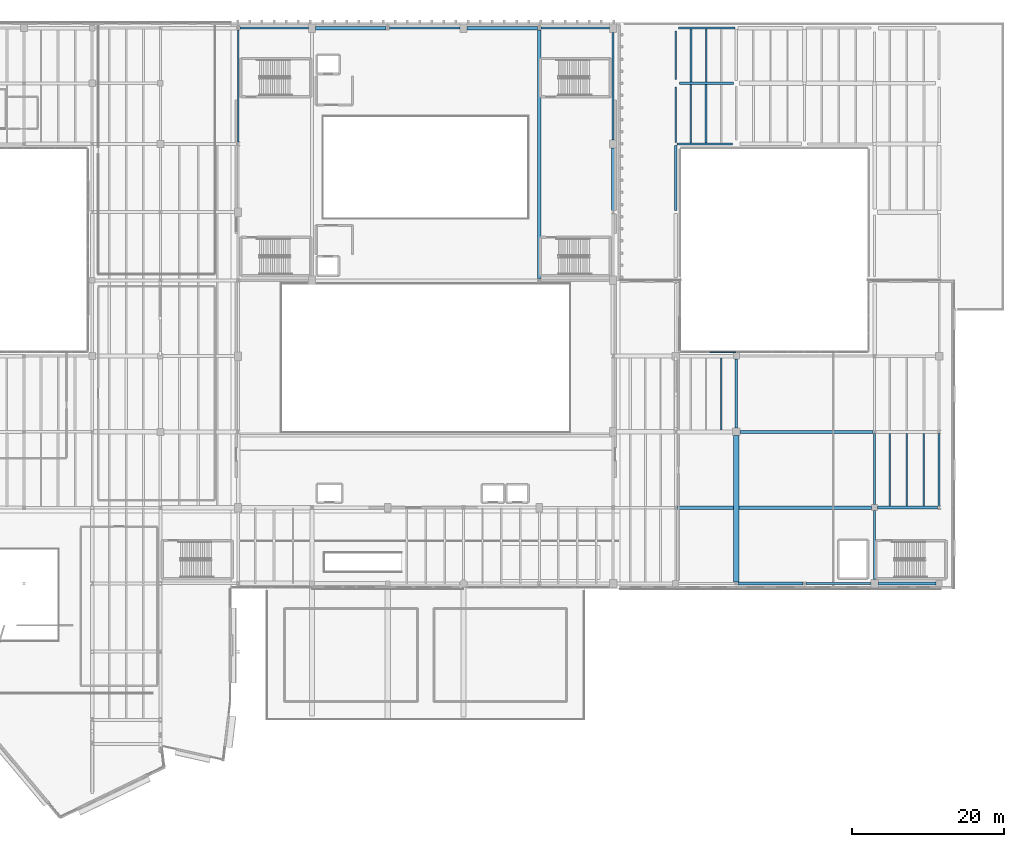
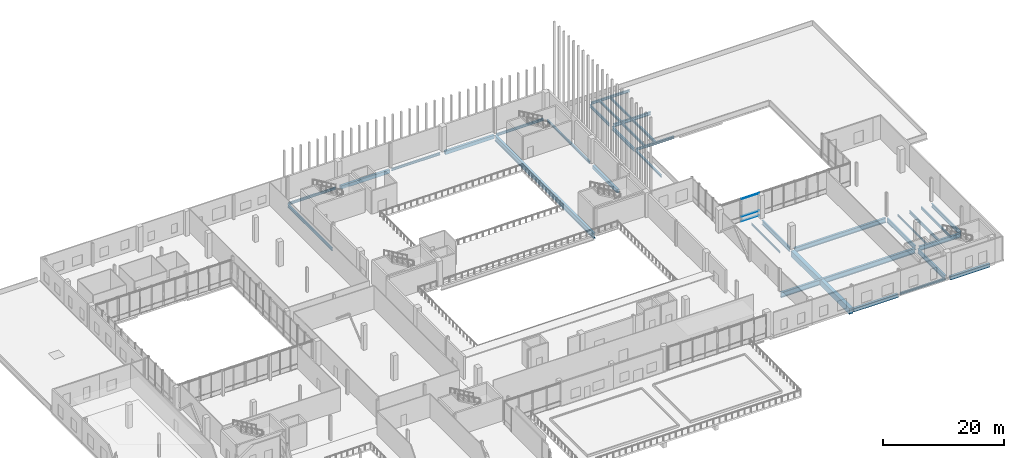
# One storey, part 31 of 60: 34 beams, 3 members, 1 element without a shape of its own.
"""IFC4 building model written with IfcOpenShell, lengths in metres."""

from ifc_helpers import new_model, si_unit, direction, frame, origin, origin_2d, place, context, subcontext, project, spatial, rectangle, i_section, extrude, material, material_profile, profile_set, type_object, element, aggregate, save


model = new_model("IFC4")

# Units and contexts
model_context = context("Model", 3, precision=1e-05, world=origin(), true_north=direction((0.0, 1.0)))
body_context = subcontext(model_context, "Body", "Model", "MODEL_VIEW")
ifc_project = project(units=[si_unit("LENGTHUNIT", "METRE"), si_unit("AREAUNIT", "SQUARE_METRE"), si_unit("VOLUMEUNIT", "CUBIC_METRE"), si_unit("PLANEANGLEUNIT", "RADIAN"), si_unit("MASSUNIT", "GRAM", prefix="KILO")], contexts=[model_context])

# Site, building, storey
site_placement = place(None, origin())
site = spatial("IfcSite", under=ifc_project, at=site_placement, CompositionType="ELEMENT")
building_placement = place(site_placement, origin())
building = spatial("IfcBuilding", under=site, at=building_placement, Name="Trimount Lyric Opera House", CompositionType="ELEMENT")
storey_placement = place(building_placement, frame((0.0, 0.0, 15.0)))
storey = spatial("IfcBuildingStorey", under=building, at=storey_placement, Name="L03", CompositionType="ELEMENT", Elevation=15.0)

# Beams
ifc_material_1 = material(Name="Steel ASTM A992 Grade 50", Category="steel")
ifc_material_profile_1 = material_profile(ifc_material_1, i_section(OverallWidth=0.4189453125, OverallDepth=0.927001953125, WebThickness=0.019287109375, FlangeThickness=0.031982421875, FilletRadius=0.02392578125, at=origin_2d()), Name="W36X231")
ifc_profile_set_1 = profile_set([ifc_material_profile_1], Name="Steel ASTM A992 Grade 50")
beam_type_1 = type_object("IfcBeamType", Name="B-02", PredefinedType="BEAM", material=ifc_profile_set_1)
beam_1_placement = place(storey_placement, frame((130.5, 64.0, -0.7333984375), z_axis=(1.0, 0.0, 0.0), x_axis=(0.0, 1.0, 0.0)))
element("IfcBeam", 1, at=beam_1_placement, inside=storey, type_object=beam_type_1, Name="L03 girder X-0976", PredefinedType="BEAM", context=body_context, shape_type="SweptSolid", body=[
    extrude(i_section(OverallWidth=0.4189453125, OverallDepth=0.927001953125, WebThickness=0.019287109375, FlangeThickness=0.031982421875, FilletRadius=0.02392578125, at=origin_2d()), origin(), (0.0, 0.0, 1.0), 17.553466796875),
])
ifc_material_2 = material(Name="Steel ASTM A992 Grade 50", Category="steel")
ifc_material_profile_2 = material_profile(ifc_material_2, i_section(OverallWidth=0.304931640625, OverallDepth=0.9189453125, WebThickness=0.017333984375, FlangeThickness=0.02783203125, FilletRadius=0.02001953125, at=origin_2d()), Name="W36X170")
ifc_profile_set_2 = profile_set([ifc_material_profile_2], Name="Steel ASTM A992 Grade 50")
beam_type_2 = type_object("IfcBeamType", Name="B-03", PredefinedType="BEAM", material=ifc_profile_set_2)
for number, where, z_axis, x_axis, name in (
    (2, (130.0, 64.5, -0.7294921875), (0.0, 1.0, 0.0), (-1.0, 0.0, 0.0), "L03 girder Y-1105"),
    (3, (148.239990234375, 44.5, -0.7294921875), (0.0, 1.0, 0.0), (-1.0, 0.0, 0.0), "L03 girder Y-1110"),
):
    element("IfcBeam", number, at=place(storey_placement, frame(where, z_axis=z_axis, x_axis=x_axis)), inside=storey, type_object=beam_type_2, Name=name, PredefinedType="BEAM", context=body_context, shape_type="SweptSolid", body=[
        extrude(i_section(OverallWidth=0.304931640625, OverallDepth=0.9189453125, WebThickness=0.017333984375, FlangeThickness=0.02783203125, FilletRadius=0.02001953125, at=origin_2d()), origin(), (0.0, 0.0, 1.0), 9.10009765625),
    ])
ifc_material_3 = material(Name="Steel ASTM A992 Grade 50", Category="steel")
ifc_material_profile_3 = material_profile(ifc_material_3, i_section(OverallWidth=0.40087890625, OverallDepth=0.861083984375, WebThickness=0.019775390625, FlangeThickness=0.032470703125, FilletRadius=0.02001953125, at=origin_2d()), Name="W33X221")
ifc_profile_set_3 = profile_set([ifc_material_profile_3], Name="Steel ASTM A992 Grade 50")
beam_type_3 = type_object("IfcBeamType", Name="B-04", PredefinedType="BEAM", material=ifc_profile_set_3)
beam_2_placement = place(storey_placement, frame((148.639892578125, 54.0, -0.700439453125), z_axis=(1.0, 0.0, 0.0), x_axis=(0.0, 1.0, 0.0)))
element("IfcBeam", 4, at=beam_2_placement, inside=storey, type_object=beam_type_3, Name="L03 girder X-0966", PredefinedType="BEAM", context=body_context, shape_type="SweptSolid", body=[
    extrude(i_section(OverallWidth=0.40087890625, OverallDepth=0.861083984375, WebThickness=0.019775390625, FlangeThickness=0.032470703125, FilletRadius=0.02001953125, at=origin_2d()), origin(), (0.0, 0.0, 1.0), 7.93359375),
])
ifc_material_4 = material(Name="Steel ASTM A992 Grade 50", Category="steel")
ifc_material_profile_4 = material_profile(ifc_material_4, i_section(OverallWidth=0.2919921875, OverallDepth=0.845947265625, WebThickness=0.015380859375, FlangeThickness=0.0244140625, FilletRadius=0.01806640625, at=origin_2d()), Name="W33X141")
ifc_profile_set_4 = profile_set([ifc_material_profile_4], Name="Steel ASTM A992 Grade 50")
beam_type_4 = type_object("IfcBeamType", Name="B-05", PredefinedType="BEAM", material=ifc_profile_set_4)
beam_3_placement = place(storey_placement, frame((148.239990234375, 54.39990234375, -0.693115234375), z_axis=(0.0, 1.0, 0.0), x_axis=(-1.0, 0.0, 0.0)))
element("IfcBeam", 5, at=beam_3_placement, inside=storey, type_object=beam_type_4, Name="L03 girder Y-1111", PredefinedType="BEAM", context=body_context, shape_type="SweptSolid", body=[
    extrude(i_section(OverallWidth=0.2919921875, OverallDepth=0.845947265625, WebThickness=0.015380859375, FlangeThickness=0.0244140625, FilletRadius=0.01806640625, at=origin_2d()), origin(), (0.0, 0.0, 1.0), 9.416015625),
])
ifc_material_5 = material(Name="Steel ASTM A992 Grade 50", Category="steel")
ifc_material_profile_5 = material_profile(ifc_material_5, i_section(OverallWidth=0.26708984375, OverallDepth=0.761962890625, WebThickness=0.014404296875, FlangeThickness=0.021484375, FilletRadius=0.01708984375, at=origin_2d()), Name="W30X116")
ifc_profile_set_5 = profile_set([ifc_material_profile_5], Name="Steel ASTM A992 Grade 50")
beam_type_5 = type_object("IfcBeamType", Name="B-07", PredefinedType="BEAM", material=ifc_profile_set_5)
beam_4_placement = place(storey_placement, frame((156.760009765625, 54.18408203125, -0.65087890625), z_axis=(0.0, 1.0, 0.0), x_axis=(-1.0, 0.0, 0.0)))
element("IfcBeam", 6, at=beam_4_placement, inside=storey, type_object=beam_type_5, Name="L03 girder Y-1118", PredefinedType="BEAM", context=body_context, shape_type="SweptSolid", body=[
    extrude(i_section(OverallWidth=0.26708984375, OverallDepth=0.761962890625, WebThickness=0.014404296875, FlangeThickness=0.021484375, FilletRadius=0.01708984375, at=origin_2d()), origin(), (0.0, 0.0, 1.0), 9.622802734375),
])
ifc_material_6 = material(Name="Steel ASTM A992 Grade 50", Category="steel")
ifc_material_profile_6 = material_profile(ifc_material_6, i_section(OverallWidth=0.25390625, OverallDepth=0.68798828125, WebThickness=0.01318359375, FlangeThickness=0.02099609375, FilletRadius=0.01611328125, at=origin_2d()), Name="W27X102")
ifc_profile_set_6 = profile_set([ifc_material_profile_6], Name="Steel ASTM A992 Grade 50")
beam_type_6 = type_object("IfcBeamType", Name="B-09", PredefinedType="BEAM", material=ifc_profile_set_6)
beam_5_placement = place(storey_placement, frame((122.0, 102.193115234375, -0.634033203125), z_axis=(0.0, 1.0, 0.0), x_axis=(-1.0, 0.0, 0.0)))
element("IfcBeam", 7, at=beam_5_placement, inside=storey, type_object=beam_type_6, Name="L03 girder Y-1102", PredefinedType="BEAM", context=body_context, shape_type="SweptSolid", body=[
    extrude(i_section(OverallWidth=0.25390625, OverallDepth=0.68798828125, WebThickness=0.01318359375, FlangeThickness=0.02099609375, FilletRadius=0.01611328125, at=origin_2d()), origin(), (0.0, 0.0, 1.0), 7.306884765625),
])
ifc_material_7 = material(Name="Steel ASTM A992 Grade 50", Category="steel")
ifc_material_profile_7 = material_profile(ifc_material_7, i_section(OverallWidth=0.327880859375, OverallDepth=0.626953125, WebThickness=0.0166015625, FlangeThickness=0.027587890625, FilletRadius=0.01611328125, at=origin_2d()), Name="W24X146")
ifc_profile_set_7 = profile_set([ifc_material_profile_7], Name="Steel ASTM A992 Grade 50")
beam_type_7 = type_object("IfcBeamType", Name="B-10", PredefinedType="BEAM", material=ifc_profile_set_7)
beam_6_placement = place(storey_placement, frame((122.5, 110.0, -0.603515625), z_axis=(1.0, 0.0, 0.0), x_axis=(0.0, 1.0, 0.0)))
element("IfcBeam", 8, at=beam_6_placement, inside=storey, type_object=beam_type_7, Name="L03 girder X-1011", PredefinedType="BEAM", context=body_context, shape_type="SweptSolid", body=[
    extrude(i_section(OverallWidth=0.327880859375, OverallDepth=0.626953125, WebThickness=0.0166015625, FlangeThickness=0.027587890625, FilletRadius=0.01611328125, at=origin_2d()), origin(), (0.0, 0.0, 1.0), 7.10009765625),
])
ifc_material_8 = material(Name="Steel ASTM A992 Grade 50", Category="steel")
ifc_material_profile_8 = material_profile(ifc_material_8, i_section(OverallWidth=0.22998046875, OverallDepth=0.616943359375, WebThickness=0.01318359375, FlangeThickness=0.022216796875, FilletRadius=0.013916015625, at=origin_2d()), Name="W24X94")
ifc_profile_set_8 = profile_set([ifc_material_profile_8], Name="Steel ASTM A992 Grade 50")
beam_type_8 = type_object("IfcBeamType", Name="B-11", PredefinedType="BEAM", material=ifc_profile_set_8)
beam_7_placement = place(storey_placement, frame((64.260009765625, 102.232421875, -0.633544921875), z_axis=(0.0, 1.0, 0.0), x_axis=(-1.0, 0.0, 0.0)))
element("IfcBeam", 9, at=beam_7_placement, inside=storey, type_object=beam_type_8, Name="L03 girder Y-1080", PredefinedType="BEAM", context=body_context, shape_type="SweptSolid", body=[
    extrude(i_section(OverallWidth=0.22998046875, OverallDepth=0.616943359375, WebThickness=0.01318359375, FlangeThickness=0.022216796875, FilletRadius=0.013916015625, at=origin_2d()), origin(), (0.0, 0.0, 1.0), 14.815185546875),
])
beam_8_placement = place(storey_placement, frame((122.0, 110.5, -0.598388671875), z_axis=(0.0, 1.0, 0.0), x_axis=(-1.0, 0.0, 0.0)))
element("IfcBeam", 10, at=beam_8_placement, inside=storey, type_object=beam_type_8, Name="L03 girder Y-1103", PredefinedType="BEAM", context=body_context, shape_type="SweptSolid", body=[
    extrude(i_section(OverallWidth=0.22998046875, OverallDepth=0.616943359375, WebThickness=0.01318359375, FlangeThickness=0.022216796875, FilletRadius=0.013916015625, at=origin_2d()), origin(), (0.0, 0.0, 1.0), 6.3798828125),
])
ifc_material_9 = material(Name="Steel ASTM A992 Grade 50", Category="steel")
ifc_material_profile_9 = material_profile(ifc_material_9, i_section(OverallWidth=0.22802734375, OverallDepth=0.60205078125, WebThickness=0.010498046875, FlangeThickness=0.014892578125, FilletRadius=0.012939453125, at=origin_2d()), Name="W24X68")
ifc_profile_set_9 = profile_set([ifc_material_profile_9], Name="Steel ASTM A992 Grade 50")
beam_type_9 = type_object("IfcBeamType", Name="J-01", PredefinedType="BEAM", material=ifc_profile_set_9)
beam_9_placement = place(storey_placement, frame((152.5, 54.196533203125, -0.571044921875), z_axis=(0.0, 1.0, 0.0), x_axis=(-1.0, 0.0, 0.0)))
element("IfcBeam", 11, at=beam_9_placement, inside=storey, type_object=beam_type_9, Name="L03 composite floor joist 1117", PredefinedType="BEAM", context=body_context, shape_type="SweptSolid", body=[
    extrude(i_section(OverallWidth=0.22802734375, OverallDepth=0.60205078125, WebThickness=0.010498046875, FlangeThickness=0.014892578125, FilletRadius=0.012939453125, at=origin_2d()), origin(), (0.0, 0.0, 1.0), 9.616455078125),
])
ifc_material_10 = material(Name="Steel ASTM A992 Grade 50", Category="steel")
ifc_material_profile_10 = material_profile(ifc_material_10, i_section(OverallWidth=0.2099609375, OverallDepth=0.532958984375, WebThickness=0.01025390625, FlangeThickness=0.015625, FilletRadius=0.012939453125, at=origin_2d()), Name="W21X62")
ifc_profile_set_10 = profile_set([ifc_material_profile_10], Name="Steel ASTM A992 Grade 50")
beam_type_10 = type_object("IfcBeamType", Name="J-02", PredefinedType="BEAM", material=ifc_profile_set_10)
beam_10_placement = place(storey_placement, frame((124.0, 102.136962890625, -0.556396484375), z_axis=(0.0, 1.0, 0.0), x_axis=(-1.0, 0.0, 0.0)))
element("IfcBeam", 12, at=beam_10_placement, inside=storey, type_object=beam_type_10, Name="L03 composite floor joist 1098", PredefinedType="BEAM", context=body_context, shape_type="SweptSolid", body=[
    extrude(i_section(OverallWidth=0.2099609375, OverallDepth=0.532958984375, WebThickness=0.01025390625, FlangeThickness=0.015625, FilletRadius=0.012939453125, at=origin_2d()), origin(), (0.0, 0.0, 1.0), 7.703125),
])
beam_11_placement = place(storey_placement, frame((154.75, 54.196533203125, -0.53662109375), z_axis=(0.0, 1.0, 0.0), x_axis=(-1.0, 0.0, 0.0)))
element("IfcBeam", 13, at=beam_11_placement, inside=storey, type_object=beam_type_10, Name="L03 composite floor joist 1118", PredefinedType="BEAM", context=body_context, shape_type="SweptSolid", body=[
    extrude(i_section(OverallWidth=0.2099609375, OverallDepth=0.532958984375, WebThickness=0.01025390625, FlangeThickness=0.015625, FilletRadius=0.012939453125, at=origin_2d()), origin(), (0.0, 0.0, 1.0), 9.616455078125),
])
ifc_material_11 = material(Name="Steel ASTM A992 Grade 50", Category="steel")
ifc_material_profile_11 = material_profile(ifc_material_11, i_section(OverallWidth=0.281982421875, OverallDepth=0.467041015625, WebThickness=0.01220703125, FlangeThickness=0.01953125, FilletRadius=0.012939453125, at=origin_2d()), Name="W18X86")
ifc_profile_set_11 = profile_set([ifc_material_profile_11], Name="Steel ASTM A992 Grade 50")
beam_type_11 = type_object("IfcBeamType", Name="J-03", PredefinedType="BEAM", material=ifc_profile_set_11)
beam_12_placement = place(storey_placement, frame((126.0, 102.136962890625, -0.5234375), z_axis=(0.0, 1.0, 0.0), x_axis=(-1.0, 0.0, 0.0)))
element("IfcBeam", 14, at=beam_12_placement, inside=storey, type_object=beam_type_11, Name="L03 composite floor joist 1099", PredefinedType="BEAM", context=body_context, shape_type="SweptSolid", body=[
    extrude(i_section(OverallWidth=0.281982421875, OverallDepth=0.467041015625, WebThickness=0.01220703125, FlangeThickness=0.01953125, FilletRadius=0.012939453125, at=origin_2d()), origin(), (0.0, 0.0, 1.0), 7.703125),
])
beam_13_placement = place(storey_placement, frame((124.0, 110.159912109375, -0.5234375), z_axis=(0.0, 1.0, 0.0), x_axis=(-1.0, 0.0, 0.0)))
element("IfcBeam", 15, at=beam_13_placement, inside=storey, type_object=beam_type_11, Name="L03 composite floor joist 1101", PredefinedType="BEAM", context=body_context, shape_type="SweptSolid", body=[
    extrude(i_section(OverallWidth=0.281982421875, OverallDepth=0.467041015625, WebThickness=0.01220703125, FlangeThickness=0.01953125, FilletRadius=0.012939453125, at=origin_2d()), origin(), (0.0, 0.0, 1.0), 6.983154296875),
])
ifc_material_12 = material(Name="Steel ASTM A992 Grade 50", Category="steel")
ifc_material_profile_12 = material_profile(ifc_material_12, i_section(OverallWidth=0.19091796875, OverallDepth=0.45703125, WebThickness=0.009033203125, FlangeThickness=0.014404296875, FilletRadius=0.010986328125, at=origin_2d()), Name="W18X50")
ifc_profile_set_12 = profile_set([ifc_material_profile_12], Name="Steel ASTM A992 Grade 50")
beam_type_12 = type_object("IfcBeamType", Name="J-04", PredefinedType="BEAM", material=ifc_profile_set_12)
beam_14_placement = place(storey_placement, frame((126.0, 110.159912109375, -0.5185546875), z_axis=(0.0, 1.0, 0.0), x_axis=(-1.0, 0.0, 0.0)))
element("IfcBeam", 16, at=beam_14_placement, inside=storey, type_object=beam_type_12, Name="L03 composite floor joist 1102", PredefinedType="BEAM", context=body_context, shape_type="SweptSolid", body=[
    extrude(i_section(OverallWidth=0.19091796875, OverallDepth=0.45703125, WebThickness=0.009033203125, FlangeThickness=0.014404296875, FilletRadius=0.010986328125, at=origin_2d()), origin(), (0.0, 0.0, 1.0), 6.983154296875),
])
ifc_material_13 = material(Name="Steel ASTM A992 Grade 50", Category="steel")
ifc_material_profile_13 = material_profile(ifc_material_13, i_section(OverallWidth=0.177978515625, OverallDepth=0.404052734375, WebThickness=0.007568359375, FlangeThickness=0.010986328125, FilletRadius=0.010009765625, at=origin_2d()), Name="W16X36")
ifc_profile_set_13 = profile_set([ifc_material_profile_13], Name="Steel ASTM A992 Grade 50")
beam_type_13 = type_object("IfcBeamType", Name="J-06", PredefinedType="BEAM", material=ifc_profile_set_13)
beam_15_placement = place(storey_placement, frame((128.0, 64.27099609375, -0.471923828125), z_axis=(0.0, 1.0, 0.0), x_axis=(-1.0, 0.0, 0.0)))
element("IfcBeam", 17, at=beam_15_placement, inside=storey, type_object=beam_type_13, Name="L03 composite floor joist 1097", PredefinedType="BEAM", context=body_context, shape_type="SweptSolid", body=[
    extrude(i_section(OverallWidth=0.177978515625, OverallDepth=0.404052734375, WebThickness=0.007568359375, FlangeThickness=0.010986328125, FilletRadius=0.010009765625, at=origin_2d()), origin(), (0.0, 0.0, 1.0), 9.508056640625),
])
beam_16_placement = place(storey_placement, frame((150.25, 54.196533203125, -0.471923828125), z_axis=(0.0, 1.0, 0.0), x_axis=(-1.0, 0.0, 0.0)))
element("IfcBeam", 18, at=beam_16_placement, inside=storey, type_object=beam_type_13, Name="L03 composite floor joist 1116", PredefinedType="BEAM", context=body_context, shape_type="SweptSolid", body=[
    extrude(i_section(OverallWidth=0.177978515625, OverallDepth=0.404052734375, WebThickness=0.007568359375, FlangeThickness=0.010986328125, FilletRadius=0.010009765625, at=origin_2d()), origin(), (0.0, 0.0, 1.0), 9.616455078125),
])
ifc_material_14 = material(Name="Steel ASTM A992 Grade 50", Category="steel")
ifc_material_profile_14 = material_profile(ifc_material_14, i_section(OverallWidth=0.281982421875, OverallDepth=0.467041015625, WebThickness=0.01220703125, FlangeThickness=0.01953125, FilletRadius=0.012939453125, at=origin_2d()), Name="W18X86")
ifc_profile_set_14 = profile_set([ifc_material_profile_14], Name="Steel ASTM A992 Grade 50")
beam_type_14 = type_object("IfcBeamType", Name="SP-01", PredefinedType="SPANDREL", material=ifc_profile_set_14)
beam_17_placement = place(storey_placement, frame((139.199462890625, 44.0, -0.50341796875), z_axis=(1.0, 0.0, 0.0), x_axis=(0.0, 1.0, 0.0)))
element("IfcBeam", 19, at=beam_17_placement, inside=storey, type_object=beam_type_14, Name="L03 girder X-0952", PredefinedType="SPANDREL", context=body_context, shape_type="SweptSolid", body=[
    extrude(i_section(OverallWidth=0.281982421875, OverallDepth=0.467041015625, WebThickness=0.01220703125, FlangeThickness=0.01953125, FilletRadius=0.012939453125, at=origin_2d()), origin(), (0.0, 0.0, 1.0), 8.54052734375),
])
beam_18_placement = place(storey_placement, frame((122.199462890625, 102.0, -0.5234375), z_axis=(1.0, 0.0, 0.0), x_axis=(0.0, 1.0, 0.0)))
element("IfcBeam", 20, at=beam_18_placement, inside=storey, type_object=beam_type_14, Name="L03 girder X-1002", PredefinedType="SPANDREL", context=body_context, shape_type="SweptSolid", body=[
    extrude(i_section(OverallWidth=0.281982421875, OverallDepth=0.467041015625, WebThickness=0.01220703125, FlangeThickness=0.01953125, FilletRadius=0.012939453125, at=origin_2d()), origin(), (0.0, 0.0, 1.0), 7.300537109375),
])
beam_19_placement = place(storey_placement, frame((64.470947265625, 117.280029296875, -0.55859375), z_axis=(1.0, 0.0, 0.0), x_axis=(0.0, 1.0, 0.0)))
element("IfcBeam", 21, at=beam_19_placement, inside=storey, type_object=beam_type_14, Name="L03 girder X-1021", PredefinedType="SPANDREL", context=body_context, shape_type="SweptSolid", body=[
    extrude(i_section(OverallWidth=0.281982421875, OverallDepth=0.467041015625, WebThickness=0.01220703125, FlangeThickness=0.01953125, FilletRadius=0.012939453125, at=origin_2d()), origin(), (0.0, 0.0, 1.0), 9.0791015625),
])
beam_20_placement = place(storey_placement, frame((84.2109375, 117.280029296875, -0.55859375), z_axis=(1.0, 0.0, 0.0), x_axis=(0.0, 1.0, 0.0)))
element("IfcBeam", 22, at=beam_20_placement, inside=storey, type_object=beam_type_14, Name="L03 girder X-1023", PredefinedType="SPANDREL", context=body_context, shape_type="SweptSolid", body=[
    extrude(i_section(OverallWidth=0.281982421875, OverallDepth=0.467041015625, WebThickness=0.01220703125, FlangeThickness=0.01953125, FilletRadius=0.012939453125, at=origin_2d()), origin(), (0.0, 0.0, 1.0), 9.339111328125),
])
beam_21_placement = place(storey_placement, frame((104.2109375, 117.280029296875, -0.55859375), z_axis=(1.0, 0.0, 0.0), x_axis=(0.0, 1.0, 0.0)))
element("IfcBeam", 23, at=beam_21_placement, inside=storey, type_object=beam_type_14, Name="L03 girder X-1025", PredefinedType="SPANDREL", context=body_context, shape_type="SweptSolid", body=[
    extrude(i_section(OverallWidth=0.281982421875, OverallDepth=0.467041015625, WebThickness=0.01220703125, FlangeThickness=0.01953125, FilletRadius=0.012939453125, at=origin_2d()), origin(), (0.0, 0.0, 1.0), 9.0791015625),
])
beam_22_placement = place(storey_placement, frame((122.39990234375, 117.280029296875, -0.5234375), z_axis=(1.0, 0.0, 0.0), x_axis=(0.0, 1.0, 0.0)))
element("IfcBeam", 24, at=beam_22_placement, inside=storey, type_object=beam_type_14, Name="L03 girder X-1026", PredefinedType="SPANDREL", context=body_context, shape_type="SweptSolid", body=[
    extrude(i_section(OverallWidth=0.281982421875, OverallDepth=0.467041015625, WebThickness=0.01220703125, FlangeThickness=0.01953125, FilletRadius=0.012939453125, at=origin_2d()), origin(), (0.0, 0.0, 1.0), 7.41357421875),
])
beam_23_placement = place(storey_placement, frame((113.739990234375, 102.550048828125, -0.55859375), z_axis=(0.0, 1.0, 0.0), x_axis=(-1.0, 0.0, 0.0)))
element("IfcBeam", 25, at=beam_23_placement, inside=storey, type_object=beam_type_14, Name="L03 girder Y-1095", PredefinedType="SPANDREL", context=body_context, shape_type="SweptSolid", body=[
    extrude(i_section(OverallWidth=0.281982421875, OverallDepth=0.467041015625, WebThickness=0.01220703125, FlangeThickness=0.01953125, FilletRadius=0.012939453125, at=origin_2d()), origin(), (0.0, 0.0, 1.0), 14.179931640625),
])
beam_24_placement = place(storey_placement, frame((122.0, 93.18408203125, -0.5234375), z_axis=(0.0, 1.0, 0.0), x_axis=(-1.0, 0.0, 0.0)))
element("IfcBeam", 26, at=beam_24_placement, inside=storey, type_object=beam_type_14, Name="L03 girder Y-1101", PredefinedType="SPANDREL", context=body_context, shape_type="SweptSolid", body=[
    extrude(i_section(OverallWidth=0.281982421875, OverallDepth=0.467041015625, WebThickness=0.01220703125, FlangeThickness=0.01953125, FilletRadius=0.012939453125, at=origin_2d()), origin(), (0.0, 0.0, 1.0), 8.622802734375),
])
ifc_material_15 = material(Name="Concrete C40/50", Category="concrete")
ifc_material_profile_15 = material_profile(ifc_material_15, rectangle(XDim=0.449951171875, YDim=0.699951171875, at=origin_2d()), Name="RC450X700")
ifc_profile_set_15 = profile_set([ifc_material_profile_15], Name="Concrete C40/50")
beam_type_15 = type_object("IfcBeamType", Name="SP-02", PredefinedType="SPANDREL", material=ifc_profile_set_15)
beam_25_placement = place(storey_placement, frame((130.1865234375, 44.0, -0.6201171875), z_axis=(1.0, 0.0, 0.0), x_axis=(0.0, 1.0, 0.0)))
element("IfcBeam", 27, at=beam_25_placement, inside=storey, type_object=beam_type_15, Name="L03 girder X-0951", PredefinedType="SPANDREL", context=body_context, shape_type="SweptSolid", body=[
    extrude(rectangle(XDim=0.449951171875, YDim=0.699951171875, at=origin_2d()), origin(), (0.0, 0.0, 1.0), 8.614013671875),
])
beam_26_placement = place(storey_placement, frame((148.739990234375, 44.0, -0.6201171875), z_axis=(1.0, 0.0, 0.0), x_axis=(0.0, 1.0, 0.0)))
element("IfcBeam", 28, at=beam_26_placement, inside=storey, type_object=beam_type_15, Name="L03 girder X-0953", PredefinedType="SPANDREL", context=body_context, shape_type="SweptSolid", body=[
    extrude(rectangle(XDim=0.449951171875, YDim=0.699951171875, at=origin_2d()), origin(), (0.0, 0.0, 1.0), 7.6201171875),
])
for number, where, z_axis, x_axis, name in (
    (29, (74.449951171875, 117.280029296875, -0.675048828125), (1.0, 0.0, 0.0), (0.0, 1.0, 0.0), "L03 girder X-1022"),
    (30, (94.449951171875, 117.280029296875, -0.675048828125), (1.0, 0.0, 0.0), (0.0, 1.0, 0.0), "L03 girder X-1024"),
):
    element("IfcBeam", number, at=place(storey_placement, frame(where, z_axis=z_axis, x_axis=x_axis)), inside=storey, type_object=beam_type_15, Name=name, PredefinedType="SPANDREL", context=body_context, shape_type="SweptSolid", body=[
        extrude(rectangle(XDim=0.449951171875, YDim=0.699951171875, at=origin_2d()), origin(), (0.0, 0.0, 1.0), 9.339111328125),
    ])
beam_27_placement = place(storey_placement, frame((113.739990234375, 93.232421875, -0.675048828125), z_axis=(0.0, 1.0, 0.0), x_axis=(-1.0, 0.0, 0.0)))
element("IfcBeam", 31, at=beam_27_placement, inside=storey, type_object=beam_type_15, Name="L03 girder Y-1094", PredefinedType="SPANDREL", context=body_context, shape_type="SweptSolid", body=[
    extrude(rectangle(XDim=0.449951171875, YDim=0.699951171875, at=origin_2d()), origin(), (0.0, 0.0, 1.0), 8.217529296875),
])
ifc_material_16 = material(Name="Steel ASTM A992 Grade 50", Category="steel")
ifc_material_profile_16 = material_profile(ifc_material_16, i_section(OverallWidth=0.427001953125, OverallDepth=1.092041015625, WebThickness=0.031005859375, FlangeThickness=0.055908203125, FilletRadius=0.02490234375, at=origin_2d()), Name="W40X397")
ifc_profile_set_16 = profile_set([ifc_material_profile_16], Name="Steel ASTM A992 Grade 50")
beam_type_16 = type_object("IfcBeamType", Name="TG-02", PredefinedType="USERDEFINED", material=ifc_profile_set_16)
beam_28_placement = place(storey_placement, frame((104.0, 84.232421875, -0.87109375), z_axis=(0.0, 1.0, 0.0), x_axis=(-1.0, 0.0, 0.0)))
element("IfcBeam", 32, at=beam_28_placement, inside=storey, type_object=beam_type_16, Name="L03 girder Y-1088", ObjectType="TRANSFER_GIRDER", PredefinedType="USERDEFINED", context=body_context, shape_type="SweptSolid", body=[
    extrude(i_section(OverallWidth=0.427001953125, OverallDepth=1.092041015625, WebThickness=0.031005859375, FlangeThickness=0.055908203125, FilletRadius=0.02490234375, at=origin_2d()), origin(), (0.0, 0.0, 1.0), 32.815185546875),
])
ifc_material_17 = material(Name="Steel ASTM A992 Grade 50", Category="steel")
ifc_material_profile_17 = material_profile(ifc_material_17, i_section(OverallWidth=0.4189453125, OverallDepth=1.052001953125, WebThickness=0.023681640625, FlangeThickness=0.0419921875, FilletRadius=0.02490234375, at=origin_2d()), Name="W40X297")
ifc_profile_set_17 = profile_set([ifc_material_profile_17], Name="Steel ASTM A992 Grade 50")
beam_type_17 = type_object("IfcBeamType", Name="TG-03", PredefinedType="USERDEFINED", material=ifc_profile_set_17)
beam_29_placement = place(storey_placement, frame((122.1865234375, 54.0, -0.7958984375), z_axis=(1.0, 0.0, 0.0), x_axis=(0.0, 1.0, 0.0)))
element("IfcBeam", 33, at=beam_29_placement, inside=storey, type_object=beam_type_17, Name="L03 girder X-0965", ObjectType="TRANSFER_GIRDER", PredefinedType="USERDEFINED", context=body_context, shape_type="SweptSolid", body=[
    extrude(i_section(OverallWidth=0.4189453125, OverallDepth=1.052001953125, WebThickness=0.023681640625, FlangeThickness=0.0419921875, FilletRadius=0.02490234375, at=origin_2d()), origin(), (0.0, 0.0, 1.0), 25.653564453125),
])
ifc_material_18 = material(Name="Concrete C40/50", Category="concrete")
ifc_material_profile_18 = material_profile(ifc_material_18, rectangle(XDim=0.699951171875, YDim=1.199951171875, at=origin_2d()), Name="RC700X1200")
ifc_profile_set_18 = profile_set([ifc_material_profile_18], Name="Concrete C40/50")
beam_type_18 = type_object("IfcBeamType", Name="TG-05", PredefinedType="USERDEFINED", material=ifc_profile_set_18)
beam_30_placement = place(storey_placement, frame((130.0, 44.18408203125, -0.8701171875), z_axis=(0.0, 1.0, 0.0), x_axis=(-1.0, 0.0, 0.0)))
element("IfcBeam", 34, at=beam_30_placement, inside=storey, type_object=beam_type_18, Name="L03 girder Y-1104", ObjectType="TRANSFER_GIRDER", PredefinedType="USERDEFINED", context=body_context, shape_type="SweptSolid", body=[
    extrude(rectangle(XDim=0.699951171875, YDim=1.199951171875, at=origin_2d()), origin(), (0.0, 0.0, 1.0), 19.31591796875),
])

# Curtain wall, members
ifc_material_19 = material(Name="Thermally Broken Aluminium and Low-E Glass", Category="aluminium")
curtain_wall_type = type_object("IfcCurtainWallType", Name="CW-03", PredefinedType="NOTDEFINED", material=ifc_material_19)
curtain_wall_placement = place(storey_placement, origin())
curtain_wall = element("IfcCurtainWall", 35, at=curtain_wall_placement, inside=storey, type_object=curtain_wall_type, Name="L03 curtain wall 250", PredefinedType="NOTDEFINED")
ifc_material_20 = material(Name="Anodised Aluminium 6063-T6", Category="aluminium")
ifc_material_profile_19 = material_profile(ifc_material_20, rectangle(XDim=0.135009765625, YDim=0.06494140625, at=origin_2d()), Name="ALU-TRAN-65X135")
ifc_profile_set_19 = profile_set([ifc_material_profile_19], Name="Anodised Aluminium 6063-T6")
member_type = type_object("IfcMemberType", Name="TR-02", PredefinedType="USERDEFINED", material=ifc_profile_set_19)
member_1_placement = place(storey_placement, frame((126.4951171875, 74.5400390625, 0.0673828125), z_axis=(1.0, 0.0, 0.0), x_axis=(0.0, 1.0, 0.0)))
member_1 = element("IfcMember", 36, at=member_1_placement, type_object=member_type, Name="CW-03 transom 1.1", ObjectType="TRANSOM", PredefinedType="USERDEFINED", context=body_context, shape_type="SweptSolid", body=[
    extrude(rectangle(XDim=0.135009765625, YDim=0.06494140625, at=origin_2d()), origin(), (0.0, 0.0, 1.0), 3.43994140625),
])
member_2_placement = place(storey_placement, frame((126.4951171875, 74.5400390625, 1.050048828125), z_axis=(1.0, 0.0, 0.0), x_axis=(0.0, 1.0, 0.0)))
member_2 = element("IfcMember", 37, at=member_2_placement, type_object=member_type, Name="CW-03 transom 1.2", ObjectType="TRANSOM", PredefinedType="USERDEFINED", context=body_context, shape_type="SweptSolid", body=[
    extrude(rectangle(XDim=0.135009765625, YDim=0.06494140625, at=origin_2d()), origin(), (0.0, 0.0, 1.0), 3.43994140625),
])
member_3_placement = place(storey_placement, frame((126.4951171875, 74.5400390625, 4.58251953125), z_axis=(1.0, 0.0, 0.0), x_axis=(0.0, 1.0, 0.0)))
member_3 = element("IfcMember", 38, at=member_3_placement, type_object=member_type, Name="CW-03 transom 1.3", ObjectType="TRANSOM", PredefinedType="USERDEFINED", context=body_context, shape_type="SweptSolid", body=[
    extrude(rectangle(XDim=0.135009765625, YDim=0.06494140625, at=origin_2d()), origin(), (0.0, 0.0, 1.0), 3.43994140625),
])
aggregate(curtain_wall, [member_1, member_2, member_3])

save(model, "model.ifc")
